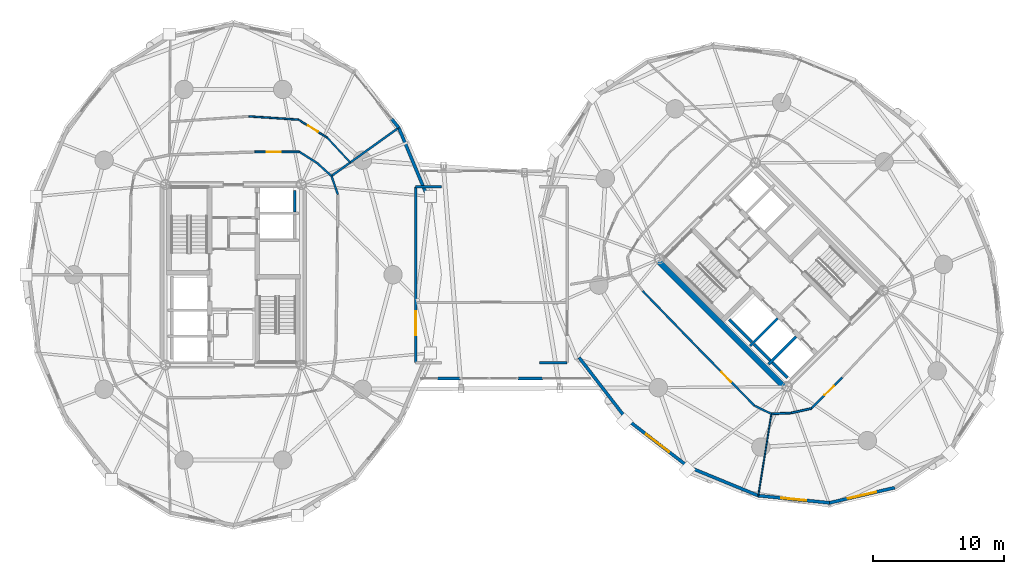
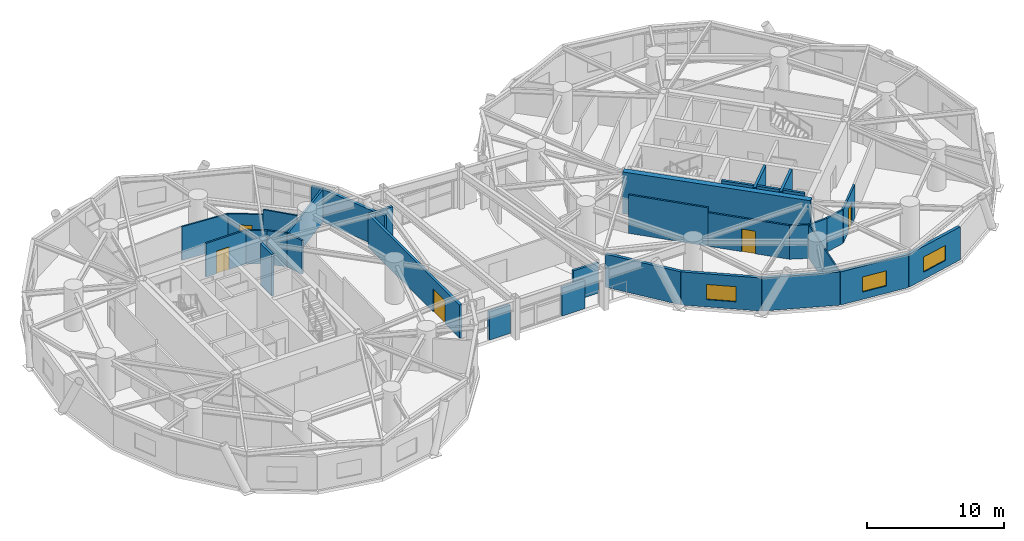
# One storey, part 15 of 20: 34 walls, 5 doors, 3 windows, 8 openings.
"""IFC4 building model written with IfcOpenShell, lengths in metres."""

from ifc_helpers import new_model, si_unit, direction, frame, frame_2d, origin, place, context, subcontext, project, spatial, rectangle, extrude, source, transform, mapped, material, layer, layer_set, type_object, element, fill, save


model = new_model("IFC4")

# Units and contexts
model_context = context("Model", 3, precision=1e-05, world=origin(), true_north=direction((0.0, 1.0)))
body_context = subcontext(model_context, "Body", "Model", "MODEL_VIEW")
ifc_project = project(units=[si_unit("LENGTHUNIT", "METRE"), si_unit("AREAUNIT", "SQUARE_METRE"), si_unit("VOLUMEUNIT", "CUBIC_METRE"), si_unit("PLANEANGLEUNIT", "RADIAN"), si_unit("MASSUNIT", "GRAM", prefix="KILO")], contexts=[model_context])

# Site, building, storey
site_placement = place(None, origin())
site = spatial("IfcSite", under=ifc_project, at=site_placement, CompositionType="ELEMENT")
building_placement = place(site_placement, origin())
building = spatial("IfcBuilding", under=site, at=building_placement, Name="Cununo Teusaquillo Station Towers", CompositionType="ELEMENT")
storey_placement = place(building_placement, frame((0.0, 0.0, 129.159912109375)))
storey = spatial("IfcBuildingStorey", under=building, at=storey_placement, Name="L41", CompositionType="ELEMENT", Elevation=129.159912109375)

# Walls
ifc_material_1 = material(Name="Concrete C50/60", Category="concrete")
ifc_layer_1 = layer(ifc_material_1, 0.199951171875)
ifc_layer_set_1 = layer_set([ifc_layer_1], Name="Concrete C50/60")
wall_type_1 = type_object("IfcWallType", Name="WL-CORE-200", PredefinedType="SHEAR", material=ifc_layer_set_1)
wall_1_placement = place(storey_placement, frame((21.179931640625, 29.294921875, 0.0), z_axis=(0.0, 0.0, 1.0), x_axis=(0.0, 1.0, 0.0)))
element("IfcWall", 1, at=wall_1_placement, inside=storey, type_object=wall_type_1, Name="L41 Tower A Low-Rise Lift 2 Shaft Rear Shear Wall", PredefinedType="SHEAR", context=body_context, shape_type="SweptSolid", body=[
    extrude(rectangle(XDim=1.635009765625, YDim=0.199951171875, at=frame_2d((0.8173828125, 0.0))), origin(), (0.0, 0.0, 1.0), 3.719970703125),
])
wall_2_placement = place(storey_placement, frame((55.8876953125, 19.0693359375, 0.0), z_axis=(0.0, 0.0, 1.0), x_axis=(0.707106781187, 0.707106781187, 0.0)))
element("IfcWall", 2, at=wall_2_placement, inside=storey, type_object=wall_type_1, Name="L41 Tower B Firefighting Lift Shaft South Shear Wall", PredefinedType="SHEAR", context=body_context, shape_type="SweptSolid", body=[
    extrude(rectangle(XDim=2.969970703125, YDim=0.199951171875, at=frame_2d((1.48486328125, 0.0))), origin(), (0.0, 0.0, 1.0), 3.719970703125),
])
wall_3_placement = place(storey_placement, frame((56.01513671875, 19.366455078125, 0.0), z_axis=(0.0, 0.0, 1.0), x_axis=(-0.707106781187, 0.707106781187, 0.0)))
element("IfcWall", 3, at=wall_3_placement, inside=storey, type_object=wall_type_1, Name="L41 Tower B Firefighting Lift Shaft Rear Shear Wall", PredefinedType="SHEAR", context=body_context, shape_type="SweptSolid", body=[
    extrude(rectangle(XDim=2.43994140625, YDim=0.199951171875, at=frame_2d((1.219970703125, 0.0))), origin(), (0.0, 0.0, 1.0), 3.719970703125),
])
wall_4_placement = place(storey_placement, frame((57.2841796875, 17.6728515625, 0.0), z_axis=(0.0, 0.0, 1.0), x_axis=(0.707147878904, 0.70706568108, 0.0)))
element("IfcWall", 4, at=wall_4_placement, inside=storey, type_object=wall_type_1, Name="L41 Tower B High-Rise Lift Hoistway Divider Shear Wall", PredefinedType="SHEAR", context=body_context, shape_type="SweptSolid", body=[
    extrude(rectangle(XDim=2.97021484375, YDim=0.199951171875, at=frame_2d((1.485107421875, 0.0))), origin(), (0.0, 0.0, 1.0), 3.719970703125),
])
wall_5_placement = place(storey_placement, frame((57.41162109375, 17.969970703125, 0.0), z_axis=(0.0, 0.0, 1.0), x_axis=(-0.707106781187, 0.707106781187, 0.0)))
element("IfcWall", 5, at=wall_5_placement, inside=storey, type_object=wall_type_1, Name="L41 Tower B High-Rise Lift 2 Shaft Rear Shear Wall", PredefinedType="SHEAR", context=body_context, shape_type="SweptSolid", body=[
    extrude(rectangle(XDim=1.73486328125, YDim=0.199951171875, at=frame_2d((0.867431640625, 0.0))), origin(), (0.0, 0.0, 1.0), 3.719970703125),
])
wall_6_placement = place(storey_placement, frame((58.7373046875, 16.64404296875, 0.0), z_axis=(0.0, 0.0, 1.0), x_axis=(-0.707032117043, 0.707181437447, 0.0)))
element("IfcWall", 6, at=wall_6_placement, inside=storey, type_object=wall_type_1, Name="L41 Tower B High-Rise Lift 1 Shaft Rear Shear Wall", PredefinedType="SHEAR", context=body_context, shape_type="SweptSolid", body=[
    extrude(rectangle(XDim=1.635009765625, YDim=0.199951171875, at=frame_2d((0.8173828125, 0.0))), origin(), (0.0, 0.0, 1.0), 3.719970703125),
])
ifc_material_2 = material(Name="Concrete C60/75", Category="concrete")
ifc_layer_2 = layer(ifc_material_2, 0.449951171875)
ifc_layer_set_2 = layer_set([ifc_layer_2], Name="Concrete C60/75")
wall_type_2 = type_object("IfcWallType", Name="WL-CORE-450", PredefinedType="SHEAR", material=ifc_layer_set_2)
wall_7_placement = place(storey_placement, frame((58.7373046875, 15.696533203125, 0.0), z_axis=(0.0, 0.0, 1.0), x_axis=(-0.707106781187, 0.707106781187, 0.0)))
element("IfcWall", 7, at=wall_7_placement, inside=storey, type_object=wall_type_2, Name="L41 Tower B Core Shear Wall W", PredefinedType="SHEAR", context=body_context, shape_type="SweptSolid", body=[
    extrude(rectangle(XDim=14.19970703125, YDim=0.449951171875, at=frame_2d((7.099853515625, 0.0))), origin(), (0.0, 0.0, 1.0), 3.719970703125),
])
ifc_material_3 = material(Name="Precast concrete C40/50", Category="concrete")
ifc_layer_3 = layer(ifc_material_3, 0.239990234375)
ifc_layer_set_3 = layer_set([ifc_layer_3], Name="Precast concrete C40/50")
wall_type_3 = type_object("IfcWallType", Name="WL-EXT-240", PredefinedType="SOLIDWALL", material=ifc_layer_set_3)
wall_8_placement = place(storey_placement, frame((29.105224609375, 35.708984375, 0.0), z_axis=(0.0, 0.0, 1.0), x_axis=(0.384344417632, -0.923189779317, 0.0)))
element("IfcWall", 8, at=wall_8_placement, inside=storey, type_object=wall_type_3, Name="L41 Tower A Exterior Facade Wall C01", PredefinedType="SOLIDWALL", context=body_context, shape_type="SweptSolid", body=[
    extrude(rectangle(XDim=5.75830078125, YDim=0.239990234375, at=frame_2d((2.879150390625, 0.0))), origin(), (0.0, 0.0, 1.0), 2.948974609375),
])
wall_9_placement = place(storey_placement, frame((28.5546875, 36.3828125, 0.0), z_axis=(0.0, 0.0, 1.0), x_axis=(0.632702874536, -0.774394649099, 0.0)))
element("IfcWall", 9, at=wall_9_placement, inside=storey, type_object=wall_type_3, Name="L41 Tower A Column Pier Cladding Wall C02-PB", PredefinedType="SOLIDWALL", context=body_context, shape_type="SweptSolid", body=[
    extrude(rectangle(XDim=0.8701171875, YDim=0.239990234375, at=frame_2d((0.43505859375, 0.0))), origin(), (0.0, 0.0, 1.0), 2.948974609375),
])
wall_10_placement = place(storey_placement, frame((46.482666015625, 13.482666015625, 0.0), z_axis=(0.0, 0.0, 1.0), x_axis=(-0.61054437102, 0.791982052206, 0.0)))
element("IfcWall", 10, at=wall_10_placement, inside=storey, type_object=wall_type_3, Name="L41 Tower B Exterior Facade Wall C09", PredefinedType="SOLIDWALL", context=body_context, shape_type="SweptSolid", body=[
    extrude(rectangle(XDim=5.942138671875, YDim=0.239990234375, at=frame_2d((2.97119140625, 0.0))), origin(), (0.0, 0.0, 1.0), 2.948974609375),
])

# Wall, opening, window
wall_11_placement = place(storey_placement, frame((51.188720703125, 9.854736328125, 0.0), z_axis=(0.0, 0.0, 1.0), x_axis=(-0.791982052206, 0.61054437102, 0.0)))
wall_11 = element("IfcWall", 11, at=wall_11_placement, inside=storey, type_object=wall_type_3, Name="L41 Tower B Exterior Facade Wall C10", PredefinedType="SOLIDWALL", context=body_context, shape_type="SweptSolid", body=[
    extrude(rectangle(XDim=5.942138671875, YDim=0.239990234375, at=frame_2d((2.97119140625, 0.0))), origin(), (0.0, 0.0, 1.0), 2.948974609375),
])
shared_shape_1 = source(origin(), body_context, "Body", "SweptSolid", [
    extrude(rectangle(XDim=2.199951171875, YDim=1.35009765625, at=frame_2d((1.10009765625, 0.675048828125))), frame((0.0, 0.1298828125, 0.0), z_axis=(0.0, -1.0, 0.0), x_axis=(1.0, 0.0, 0.0)), (0.0, 0.0, 1.0), 0.260009765625),
])
opening_1_placement = place(wall_11_placement, frame((1.87109375, 0.0, 0.64990234375)))
opening_1 = element("IfcOpeningElement", 12, at=opening_1_placement, cuts=wall_11, Name="Opening WN-01", PredefinedType="OPENING", context=body_context, shape_type="MappedRepresentation", body=[
    mapped(shared_shape_1, transform((0.0, 0.0, 0.0), x_axis=(1.0, 0.0, 0.0), y_axis=(0.0, 1.0, 0.0), z_axis=(0.0, 0.0, 1.0), scale=1.0)),
])
ifc_material_4 = material(Name="Ceramic-fritted dark low-E double glazing", Category="glass")
window_type_1 = type_object("IfcWindowType", Name="WIN-FRIT-2200", PartitioningType="DOUBLE_PANEL_VERTICAL", PredefinedType="WINDOW", material=ifc_material_4)
shared_shape_2 = source(origin(), body_context, "Body", "SweptSolid", [
    extrude(rectangle(XDim=2.199951171875, YDim=1.35009765625, at=frame_2d((1.10009765625, 0.675048828125))), frame((0.0, 0.030029296875, 0.0), z_axis=(0.0, -1.0, 0.0), x_axis=(1.0, 0.0, 0.0)), (0.0, 0.0, 1.0), 0.06005859375),
])
window_1_placement = place(opening_1_placement, origin())
window_1 = element("IfcWindow", 13, at=window_1_placement, inside=storey, type_object=window_type_1, Name="L41 Tower B Facade Window C10", OverallHeight=1.35009765625, OverallWidth=2.199951171875, PartitioningType="DOUBLE_PANEL_VERTICAL", PredefinedType="WINDOW", context=body_context, shape_type="MappedRepresentation", body=[
    mapped(shared_shape_2, transform((0.0, 0.0, 0.0), x_axis=(1.0, 0.0, 0.0), y_axis=(0.0, 1.0, 0.0), z_axis=(0.0, 0.0, 1.0), scale=1.0)),
])
fill(opening_1, window_1)

# Wall
wall_12_placement = place(storey_placement, frame((56.5126953125, 7.66064453125, 0.0), z_axis=(0.0, 0.0, 1.0), x_axis=(-0.924563909604, 0.381027003055, 0.0)))
element("IfcWall", 14, at=wall_12_placement, inside=storey, type_object=wall_type_3, Name="L41 Tower B Exterior Facade Wall C11", PredefinedType="SOLIDWALL", context=body_context, shape_type="SweptSolid", body=[
    extrude(rectangle(XDim=5.75830078125, YDim=0.239990234375, at=frame_2d((2.879150390625, 0.0))), origin(), (0.0, 0.0, 1.0), 2.948974609375),
])

# Wall, opening, window
wall_13_placement = place(storey_placement, frame((61.933349609375, 7.114990234375, 0.0), z_axis=(0.0, 0.0, 1.0), x_axis=(-0.994971754311, 0.10015591906, 0.0)))
wall_13 = element("IfcWall", 15, at=wall_13_placement, inside=storey, type_object=wall_type_3, Name="L41 Tower B Exterior Facade Wall C12", PredefinedType="SOLIDWALL", context=body_context, shape_type="SweptSolid", body=[
    extrude(rectangle(XDim=5.447998046875, YDim=0.239990234375, at=frame_2d((2.72412109375, 0.0))), origin(), (0.0, 0.0, 1.0), 2.948974609375),
])
shared_shape_3 = source(origin(), body_context, "Body", "SweptSolid", [
    extrude(rectangle(XDim=1.89990234375, YDim=1.35009765625, at=frame_2d((0.949951171875, 0.675048828125))), frame((0.0, 0.1298828125, 0.0), z_axis=(0.0, -1.0, 0.0), x_axis=(1.0, 0.0, 0.0)), (0.0, 0.0, 1.0), 0.260009765625),
])
opening_2_placement = place(wall_13_placement, frame((1.77392578125, 0.0, 0.64990234375)))
opening_2 = element("IfcOpeningElement", 16, at=opening_2_placement, cuts=wall_13, Name="Opening WN-02", PredefinedType="OPENING", context=body_context, shape_type="MappedRepresentation", body=[
    mapped(shared_shape_3, transform((0.0, 0.0, 0.0), x_axis=(1.0, 0.0, 0.0), y_axis=(0.0, 1.0, 0.0), z_axis=(0.0, 0.0, 1.0), scale=1.0)),
])
ifc_material_5 = material(Name="Operable acoustic tinted low-E double glazing", Category="glass")
window_type_2 = type_object("IfcWindowType", Name="WIN-OPER-1900", PartitioningType="DOUBLE_PANEL_VERTICAL", PredefinedType="WINDOW", material=ifc_material_5)
shared_shape_4 = source(origin(), body_context, "Body", "SweptSolid", [
    extrude(rectangle(XDim=1.89990234375, YDim=1.35009765625, at=frame_2d((0.949951171875, 0.675048828125))), frame((0.0, 0.030029296875, 0.0), z_axis=(0.0, -1.0, 0.0), x_axis=(1.0, 0.0, 0.0)), (0.0, 0.0, 1.0), 0.06005859375),
])
window_2_placement = place(opening_2_placement, origin())
window_2 = element("IfcWindow", 17, at=window_2_placement, inside=storey, type_object=window_type_2, Name="L41 Tower B Facade Window C12", OverallHeight=1.35009765625, OverallWidth=1.89990234375, PartitioningType="DOUBLE_PANEL_VERTICAL", PredefinedType="WINDOW", context=body_context, shape_type="MappedRepresentation", body=[
    mapped(shared_shape_4, transform((0.0, 0.0, 0.0), x_axis=(1.0, 0.0, 0.0), y_axis=(0.0, 1.0, 0.0), z_axis=(0.0, 0.0, 1.0), scale=1.0)),
])
fill(opening_2, window_2)

wall_14_placement = place(storey_placement, frame((66.919921875, 8.27099609375, 0.0), z_axis=(0.0, 0.0, 1.0), x_axis=(-0.974165631126, -0.225834725257, 0.0)))
wall_14 = element("IfcWall", 18, at=wall_14_placement, inside=storey, type_object=wall_type_3, Name="L41 Tower B Exterior Facade Wall C13", PredefinedType="SOLIDWALL", context=body_context, shape_type="SweptSolid", body=[
    extrude(rectangle(XDim=5.118896484375, YDim=0.239990234375, at=frame_2d((2.5595703125, 0.0))), origin(), (0.0, 0.0, 1.0), 2.948974609375),
])
opening_3_placement = place(wall_14_placement, frame((1.458984375, 0.0, 0.64990234375)))
opening_3 = element("IfcOpeningElement", 19, at=opening_3_placement, cuts=wall_14, Name="Opening WN-01", PredefinedType="OPENING", context=body_context, shape_type="MappedRepresentation", body=[
    mapped(shared_shape_1, transform((0.0, 0.0, 0.0), x_axis=(1.0, 0.0, 0.0), y_axis=(0.0, 1.0, 0.0), z_axis=(0.0, 0.0, 1.0), scale=1.0)),
])
window_3_placement = place(opening_3_placement, origin())
window_3 = element("IfcWindow", 20, at=window_3_placement, inside=storey, type_object=window_type_1, Name="L41 Tower B Facade Window C13", OverallHeight=1.35009765625, OverallWidth=2.199951171875, PartitioningType="DOUBLE_PANEL_VERTICAL", PredefinedType="WINDOW", context=body_context, shape_type="MappedRepresentation", body=[
    mapped(shared_shape_2, transform((0.0, 0.0, 0.0), x_axis=(1.0, 0.0, 0.0), y_axis=(0.0, 1.0, 0.0), z_axis=(0.0, 0.0, 1.0), scale=1.0)),
])
fill(opening_3, window_3)

# Walls
wall_15_placement = place(storey_placement, frame((40.10009765625, 16.60009765625, 0.0), z_axis=(0.0, 0.0, 1.0), x_axis=(-1.0, 0.0, 0.0)))
element("IfcWall", 21, at=wall_15_placement, inside=storey, type_object=wall_type_3, Name="L41 Mid-Bridge S End Spandrel A", PredefinedType="SOLIDWALL", context=body_context, shape_type="SweptSolid", body=[
    extrude(rectangle(XDim=1.920166015625, YDim=0.239990234375, at=frame_2d((0.9599609375, 0.0))), origin(), (0.0, 0.0, 1.0), 2.51220703125),
])
wall_16_placement = place(storey_placement, frame((33.820068359375, 16.60009765625, 0.0), z_axis=(0.0, 0.0, 1.0), x_axis=(-1.0, 0.0, 0.0)))
element("IfcWall", 22, at=wall_16_placement, inside=storey, type_object=wall_type_3, Name="L41 Mid-Bridge S End Spandrel B", PredefinedType="SOLIDWALL", context=body_context, shape_type="SweptSolid", body=[
    extrude(rectangle(XDim=1.77001953125, YDim=0.239990234375, at=frame_2d((0.885009765625, 0.0))), origin(), (0.0, 0.0, 1.0), 2.51220703125),
])
ifc_material_6 = material(Name="Fire-rated gypsum plasterboard partition assembly", Category="gypsum")
ifc_layer_4 = layer(ifc_material_6, 0.10009765625)
ifc_layer_set_4 = layer_set([ifc_layer_4], Name="Fire-rated gypsum plasterboard partition assembly")
wall_type_4 = type_object("IfcWallType", Name="WL-PART-100", PredefinedType="MOVABLE", material=ifc_layer_set_4)
wall_17_placement = place(storey_placement, frame((57.51123046875, 13.896728515625, 0.0), z_axis=(0.0, 0.0, 1.0), x_axis=(-0.15810696167, -0.987421991183, 0.0)))
element("IfcWall", 23, at=wall_17_placement, inside=storey, type_object=wall_type_4, Name="L41 Tower B Radial Suite Partition R04", PredefinedType="MOVABLE", context=body_context, shape_type="SweptSolid", body=[
    extrude(rectangle(XDim=6.29541015625, YDim=0.10009765625, at=frame_2d((3.147705078125, 0.0))), origin(), (0.0, 0.0, 1.0), 2.948974609375),
])
ifc_material_7 = material(Name="Fire-rated gypsum plasterboard partition assembly", Category="gypsum")
ifc_layer_5 = layer(ifc_material_7, 0.125)
ifc_layer_set_5 = layer_set([ifc_layer_5], Name="Fire-rated gypsum plasterboard partition assembly")
wall_type_5 = type_object("IfcWallType", Name="WL-PART-125", PredefinedType="PARTITIONING", material=ifc_layer_set_5)
wall_18_placement = place(storey_placement, frame((25.410400390625, 33.054443359375, 0.0), z_axis=(0.0, 0.0, 1.0), x_axis=(-0.679733694606, 0.73345899982, 0.0)))
element("IfcWall", 24, at=wall_18_placement, inside=storey, type_object=wall_type_5, Name="L41 Tower A Pan-Andean Symposium Hall Concentric Partition Wall C02", PredefinedType="PARTITIONING", context=body_context, shape_type="SweptSolid", body=[
    extrude(rectangle(XDim=2.585693359375, YDim=0.125, at=frame_2d((1.29296875, 0.0))), origin(), (0.0, 0.0, 1.0), 3.425048828125),
])

# Wall, opening, door
wall_19_placement = place(storey_placement, frame((23.65283203125, 34.950927734375, 0.0), z_axis=(0.0, 0.0, 1.0), x_axis=(-0.847306782665, 0.531103771452, 0.0)))
wall_19 = element("IfcWall", 25, at=wall_19_placement, inside=storey, type_object=wall_type_5, Name="L41 Tower A Pan-Andean Symposium Hall Concentric Partition Wall C03", PredefinedType="PARTITIONING", context=body_context, shape_type="SweptSolid", body=[
    extrude(rectangle(XDim=2.5810546875, YDim=0.125, at=frame_2d((1.29052734375, 0.0))), origin(), (0.0, 0.0, 1.0), 2.9951171875),
])
shared_shape_5 = source(origin(), body_context, "Body", "SweptSolid", [
    extrude(rectangle(XDim=0.89990234375, YDim=2.0048828125, at=frame_2d((0.449951171875, 1.00244140625))), frame((0.0, 0.072509765625, 0.0), z_axis=(0.0, -1.0, 0.0), x_axis=(1.0, 0.0, 0.0)), (0.0, 0.0, 1.0), 0.14501953125),
])
opening_4_placement = place(wall_19_placement, frame((0.840576171875, 0.0, 0.0)))
opening_4 = element("IfcOpeningElement", 26, at=opening_4_placement, cuts=wall_19, Name="Opening D-IN1", PredefinedType="OPENING", context=body_context, shape_type="MappedRepresentation", body=[
    mapped(shared_shape_5, transform((0.0, 0.0, 0.0), x_axis=(1.0, 0.0, 0.0), y_axis=(0.0, 1.0, 0.0), z_axis=(0.0, 0.0, 1.0), scale=1.0)),
])
ifc_material_8 = material(Name="Acoustic solid-core hardwood leaf assembly", Category="wood")
door_type_1 = type_object("IfcDoorType", Name="DR-INT-900", OperationType="NOTDEFINED", PredefinedType="DOOR", material=ifc_material_8)
shared_shape_6 = source(origin(), body_context, "Body", "SweptSolid", [
    extrude(rectangle(XDim=0.89990234375, YDim=2.0048828125, at=frame_2d((0.449951171875, 1.00244140625))), frame((0.0, 0.02490234375, 0.0), z_axis=(0.0, -1.0, 0.0), x_axis=(1.0, 0.0, 0.0)), (0.0, 0.0, 1.0), 0.050048828125),
])
door_1_placement = place(opening_4_placement, origin())
door_1 = element("IfcDoor", 27, at=door_1_placement, inside=storey, type_object=door_type_1, Name="L41 Tower A Pan-Andean Symposium Hall Connecting Door", OperationType="SINGLE_SWING_LEFT", OverallHeight=2.0048828125, OverallWidth=0.89990234375, PredefinedType="DOOR", context=body_context, shape_type="MappedRepresentation", body=[
    mapped(shared_shape_6, transform((0.0, 0.0, 0.0), x_axis=(1.0, 0.0, 0.0), y_axis=(0.0, 1.0, 0.0), z_axis=(0.0, 0.0, 1.0), scale=1.0)),
])
fill(opening_4, door_1)

# Walls
wall_20_placement = place(storey_placement, frame((21.4658203125, 36.32177734375, 0.0), z_axis=(0.0, 0.0, 1.0), x_axis=(-0.997806476515, 0.066198454847, 0.0)))
element("IfcWall", 28, at=wall_20_placement, inside=storey, type_object=wall_type_5, Name="L41 Tower A Pan-Andean Symposium Hall Concentric Partition Wall C04", PredefinedType="PARTITIONING", context=body_context, shape_type="SweptSolid", body=[
    extrude(rectangle(XDim=3.791259765625, YDim=0.125, at=frame_2d((1.8955078125, 0.0))), origin(), (0.0, 0.0, 1.0), 2.9951171875),
])
ifc_material_9 = material(Name="Fire-rated gypsum plasterboard partition assembly", Category="gypsum")
ifc_layer_6 = layer(ifc_material_9, 0.14990234375)
ifc_layer_set_6 = layer_set([ifc_layer_6], Name="Fire-rated gypsum plasterboard partition assembly")
wall_type_6 = type_object("IfcWallType", Name="WL-PART-150", PredefinedType="PARTITIONING", material=ifc_layer_set_6)
wall_21_placement = place(storey_placement, frame((24.468994140625, 30.614013671875, 0.0), z_axis=(0.0, 0.0, 1.0), x_axis=(-0.327228335485, 0.944945298129, 0.0)))
element("IfcWall", 29, at=wall_21_placement, inside=storey, type_object=wall_type_6, Name="L41 Tower A Corridor Ring Wall C01", PredefinedType="PARTITIONING", context=body_context, shape_type="SweptSolid", body=[
    extrude(rectangle(XDim=1.4951171875, YDim=0.14990234375, at=frame_2d((0.74755859375, 0.0))), origin(), (0.0, 0.0, 1.0), 2.9951171875),
])
wall_22_placement = place(storey_placement, frame((23.979736328125, 32.02685546875, 0.0), z_axis=(0.0, 0.0, 1.0), x_axis=(-0.742353224332, 0.670008724065, 0.0)))
element("IfcWall", 30, at=wall_22_placement, inside=storey, type_object=wall_type_6, Name="L41 Tower A Corridor Ring Wall C02", PredefinedType="PARTITIONING", context=body_context, shape_type="SweptSolid", body=[
    extrude(rectangle(XDim=1.48486328125, YDim=0.14990234375, at=frame_2d((0.742431640625, 0.0))), origin(), (0.0, 0.0, 1.0), 2.9951171875),
])
wall_23_placement = place(storey_placement, frame((22.87744140625, 33.021728515625, 0.0), z_axis=(0.0, 0.0, 1.0), x_axis=(-0.845895608855, 0.533348496689, 0.0)))
element("IfcWall", 31, at=wall_23_placement, inside=storey, type_object=wall_type_6, Name="L41 Tower A Corridor Ring Wall C03", PredefinedType="PARTITIONING", context=body_context, shape_type="SweptSolid", body=[
    extrude(rectangle(XDim=1.5966796875, YDim=0.14990234375, at=frame_2d((0.79833984375, 0.0))), origin(), (0.0, 0.0, 1.0), 2.9951171875),
])

# Wall, opening, door
wall_24_placement = place(storey_placement, frame((21.52685546875, 33.873291015625, 0.0), z_axis=(0.0, 0.0, 1.0), x_axis=(-0.999991838845, -0.004040079574, 0.0)))
wall_24 = element("IfcWall", 32, at=wall_24_placement, inside=storey, type_object=wall_type_6, Name="L41 Tower A Corridor Ring Wall C04", PredefinedType="PARTITIONING", context=body_context, shape_type="SweptSolid", body=[
    extrude(rectangle(XDim=3.384033203125, YDim=0.14990234375, at=frame_2d((1.69189453125, 0.0))), origin(), (0.0, 0.0, 1.0), 2.9951171875),
])
shared_shape_7 = source(origin(), body_context, "Body", "SweptSolid", [
    extrude(rectangle(XDim=1.050048828125, YDim=2.014892578125, at=frame_2d((0.52490234375, 1.00732421875))), frame((0.0, 0.0849609375, 0.0), z_axis=(0.0, -1.0, 0.0), x_axis=(1.0, 0.0, 0.0)), (0.0, 0.0, 1.0), 0.169921875),
])
opening_5_placement = place(wall_24_placement, frame((1.4287109375, 0.0, 0.0)))
opening_5 = element("IfcOpeningElement", 33, at=opening_5_placement, cuts=wall_24, Name="Opening D-SU1", PredefinedType="OPENING", context=body_context, shape_type="MappedRepresentation", body=[
    mapped(shared_shape_7, transform((0.0, 0.0, 0.0), x_axis=(1.0, 0.0, 0.0), y_axis=(0.0, 1.0, 0.0), z_axis=(0.0, 0.0, 1.0), scale=1.0)),
])
ifc_material_10 = material(Name="Acoustic solid-core hardwood leaf assembly", Category="wood")
door_type_2 = type_object("IfcDoorType", Name="DR-SUITE-1050", OperationType="NOTDEFINED", PredefinedType="DOOR", material=ifc_material_10)
shared_shape_8 = source(origin(), body_context, "Body", "SweptSolid", [
    extrude(rectangle(XDim=1.050048828125, YDim=2.014892578125, at=frame_2d((0.52490234375, 1.00732421875))), frame((0.0, 0.02490234375, 0.0), z_axis=(0.0, -1.0, 0.0), x_axis=(1.0, 0.0, 0.0)), (0.0, 0.0, 1.0), 0.050048828125),
])
door_2_placement = place(opening_5_placement, origin())
door_2 = element("IfcDoor", 34, at=door_2_placement, inside=storey, type_object=door_type_2, Name="L41 Tower A Pan-Andean Symposium Hall Entrance Door", OperationType="SINGLE_SWING_RIGHT", OverallHeight=2.014892578125, OverallWidth=1.050048828125, PredefinedType="DOOR", context=body_context, shape_type="MappedRepresentation", body=[
    mapped(shared_shape_8, transform((0.0, 0.0, 0.0), x_axis=(1.0, 0.0, 0.0), y_axis=(0.0, 1.0, 0.0), z_axis=(0.0, 0.0, 1.0), scale=1.0)),
])
fill(opening_5, door_2)

# Wall
wall_25_placement = place(storey_placement, frame((47.70556640625, 23.253173828125, 0.0), z_axis=(0.0, 0.0, 1.0), x_axis=(0.696179266346, -0.717867974707, 0.0)))
element("IfcWall", 35, at=wall_25_placement, inside=storey, type_object=wall_type_6, Name="L41 Tower B Corridor Ring Wall C09", PredefinedType="PARTITIONING", context=body_context, shape_type="SweptSolid", body=[
    extrude(rectangle(XDim=6.044677734375, YDim=0.14990234375, at=frame_2d((3.0224609375, 0.0))), origin(), (0.0, 0.0, 1.0), 3.425048828125),
])

# Wall, opening, door
wall_26_placement = place(storey_placement, frame((51.913818359375, 18.913818359375, 0.0), z_axis=(0.0, 0.0, 1.0), x_axis=(0.699999313799, -0.714143515465, 0.0)))
wall_26 = element("IfcWall", 36, at=wall_26_placement, inside=storey, type_object=wall_type_6, Name="L41 Tower B Corridor Ring Wall C10", PredefinedType="PARTITIONING", context=body_context, shape_type="SweptSolid", body=[
    extrude(rectangle(XDim=6.162109375, YDim=0.14990234375, at=frame_2d((3.0810546875, 0.0))), origin(), (0.0, 0.0, 1.0), 2.9951171875),
])
opening_6_placement = place(wall_26_placement, frame((2.55615234375, 0.0, 0.0)))
opening_6 = element("IfcOpeningElement", 37, at=opening_6_placement, cuts=wall_26, Name="Opening D-SU1", PredefinedType="OPENING", context=body_context, shape_type="MappedRepresentation", body=[
    mapped(shared_shape_7, transform((0.0, 0.0, 0.0), x_axis=(1.0, 0.0, 0.0), y_axis=(0.0, 1.0, 0.0), z_axis=(0.0, 0.0, 1.0), scale=1.0)),
])
door_3_placement = place(opening_6_placement, origin())
door_3 = element("IfcDoor", 38, at=door_3_placement, inside=storey, type_object=door_type_2, Name="L41 Tower B VIP Delegation Briefing Salon Entrance Door", OperationType="SINGLE_SWING_RIGHT", OverallHeight=2.014892578125, OverallWidth=1.050048828125, PredefinedType="DOOR", context=body_context, shape_type="MappedRepresentation", body=[
    mapped(shared_shape_8, transform((0.0, 0.0, 0.0), x_axis=(1.0, 0.0, 0.0), y_axis=(0.0, 1.0, 0.0), z_axis=(0.0, 0.0, 1.0), scale=1.0)),
])
fill(opening_6, door_3)

# Walls
wall_27_placement = place(storey_placement, frame((56.227294921875, 14.51318359375, 0.0), z_axis=(0.0, 0.0, 1.0), x_axis=(0.901477579283, -0.432825801044, 0.0)))
element("IfcWall", 39, at=wall_27_placement, inside=storey, type_object=wall_type_6, Name="L41 Tower B Corridor Ring Wall C11", PredefinedType="PARTITIONING", context=body_context, shape_type="SweptSolid", body=[
    extrude(rectangle(XDim=1.42431640625, YDim=0.14990234375, at=frame_2d((0.712158203125, 0.0))), origin(), (0.0, 0.0, 1.0), 2.9951171875),
])
wall_28_placement = place(storey_placement, frame((57.51123046875, 13.896728515625, 0.0), z_axis=(0.0, 0.0, 1.0), x_axis=(0.999024538494, 0.044158481476, 0.0)))
element("IfcWall", 40, at=wall_28_placement, inside=storey, type_object=wall_type_6, Name="L41 Tower B Corridor Ring Wall C12", PredefinedType="PARTITIONING", context=body_context, shape_type="SweptSolid", body=[
    extrude(rectangle(XDim=1.498291015625, YDim=0.14990234375, at=frame_2d((0.7490234375, 0.0))), origin(), (0.0, 0.0, 1.0), 2.9951171875),
])
wall_29_placement = place(storey_placement, frame((59.008056640625, 13.962890625, 0.0), z_axis=(0.0, 0.0, 1.0), x_axis=(0.976020856791, 0.21767702476, 0.0)))
element("IfcWall", 41, at=wall_29_placement, inside=storey, type_object=wall_type_6, Name="L41 Tower B Corridor Ring Wall C13", PredefinedType="PARTITIONING", context=body_context, shape_type="SweptSolid", body=[
    extrude(rectangle(XDim=1.592529296875, YDim=0.14990234375, at=frame_2d((0.79638671875, 0.0))), origin(), (0.0, 0.0, 1.0), 2.9951171875),
])

# Wall, opening, door
wall_30_placement = place(storey_placement, frame((60.5625, 14.3095703125, 0.0), z_axis=(0.0, 0.0, 1.0), x_axis=(0.704566236161, 0.709638230975, 0.0)))
wall_30 = element("IfcWall", 42, at=wall_30_placement, inside=storey, type_object=wall_type_6, Name="L41 Tower B Corridor Ring Wall C14", PredefinedType="PARTITIONING", context=body_context, shape_type="SweptSolid", body=[
    extrude(rectangle(XDim=3.3212890625, YDim=0.14990234375, at=frame_2d((1.66064453125, 0.0))), origin(), (0.0, 0.0, 1.0), 2.9951171875),
])
shared_shape_9 = source(origin(), body_context, "Body", "SweptSolid", [
    extrude(rectangle(XDim=1.0, YDim=2.014892578125, at=frame_2d((0.5, 1.00732421875))), frame((0.0, 0.0849609375, 0.0), z_axis=(0.0, -1.0, 0.0), x_axis=(1.0, 0.0, 0.0)), (0.0, 0.0, 1.0), 0.169921875),
])
opening_7_placement = place(wall_30_placement, frame((1.4208984375, 0.0, 0.0)))
opening_7 = element("IfcOpeningElement", 43, at=opening_7_placement, cuts=wall_30, Name="Opening D-AC1", PredefinedType="OPENING", context=body_context, shape_type="MappedRepresentation", body=[
    mapped(shared_shape_9, transform((0.0, 0.0, 0.0), x_axis=(1.0, 0.0, 0.0), y_axis=(0.0, 1.0, 0.0), z_axis=(0.0, 0.0, 1.0), scale=1.0)),
])
ifc_material_11 = material(Name="Acoustic solid-core hardwood leaf assembly", Category="wood")
door_type_3 = type_object("IfcDoorType", Name="DR-ACC-1000", OperationType="NOTDEFINED", PredefinedType="DOOR", material=ifc_material_11)
shared_shape_10 = source(origin(), body_context, "Body", "SweptSolid", [
    extrude(rectangle(XDim=1.0, YDim=2.014892578125, at=frame_2d((0.5, 1.00732421875))), frame((0.0, 0.02490234375, 0.0), z_axis=(0.0, -1.0, 0.0), x_axis=(1.0, 0.0, 0.0)), (0.0, 0.0, 1.0), 0.050048828125),
])
door_4_placement = place(opening_7_placement, origin())
door_4 = element("IfcDoor", 44, at=door_4_placement, inside=storey, type_object=door_type_3, Name="L41 Tower B Public Accessible Restroom WC Entrance Door", OperationType="SINGLE_SWING_LEFT", OverallHeight=2.014892578125, OverallWidth=1.0, PredefinedType="DOOR", context=body_context, shape_type="MappedRepresentation", body=[
    mapped(shared_shape_10, transform((0.0, 0.0, 0.0), x_axis=(1.0, 0.0, 0.0), y_axis=(0.0, 1.0, 0.0), z_axis=(0.0, 0.0, 1.0), scale=1.0)),
])
fill(opening_7, door_4)

# Wall
ifc_material_12 = material(Name="Fire-rated gypsum plasterboard partition assembly", Category="gypsum")
ifc_layer_7 = layer(ifc_material_12, 0.159912109375)
ifc_layer_set_7 = layer_set([ifc_layer_7], Name="Fire-rated gypsum plasterboard partition assembly")
wall_type_7 = type_object("IfcWallType", Name="WL-PART-160", PredefinedType="PARTITIONING", material=ifc_layer_set_7)
wall_31_placement = place(storey_placement, frame((23.979736328125, 32.02685546875, 0.0), z_axis=(0.0, 0.0, 1.0), x_axis=(0.812162479031, 0.58343132214, 0.0)))
element("IfcWall", 45, at=wall_31_placement, inside=storey, type_object=wall_type_7, Name="L41 Tower A Radial Suite Partition R01", PredefinedType="PARTITIONING", context=body_context, shape_type="SweptSolid", body=[
    extrude(rectangle(XDim=6.291015625, YDim=0.159912109375, at=frame_2d((3.1455078125, 0.0))), origin(), (0.0, 0.0, 1.0), 2.948974609375),
])

# Wall, opening, door
ifc_material_13 = material(Name="Fire-rated gypsum plasterboard partition assembly", Category="gypsum")
ifc_layer_8 = layer(ifc_material_13, 0.199951171875)
ifc_layer_set_8 = layer_set([ifc_layer_8], Name="Fire-rated gypsum plasterboard partition assembly")
wall_type_8 = type_object("IfcWallType", Name="WL-PART-200", PredefinedType="PARTITIONING", material=ifc_layer_set_8)
wall_32_placement = place(storey_placement, frame((30.39990234375, 17.800048828125, 0.0), z_axis=(0.0, 0.0, 1.0), x_axis=(0.0, 1.0, 0.0)))
wall_32 = element("IfcWall", 46, at=wall_32_placement, inside=storey, type_object=wall_type_8, Name="L41 Mid-Bridge T1 Fire Portal Wall", PredefinedType="PARTITIONING", context=body_context, shape_type="SweptSolid", body=[
    extrude(rectangle(XDim=13.39990234375, YDim=0.199951171875, at=frame_2d((6.699951171875, 0.0))), origin(), (0.0, 0.0, 1.0), 2.948974609375),
])
shared_shape_11 = source(origin(), body_context, "Body", "SweptSolid", [
    extrude(rectangle(XDim=1.800048828125, YDim=2.050048828125, at=frame_2d((0.89990234375, 1.02490234375))), frame((0.0, 0.10986328125, 0.0), z_axis=(0.0, -1.0, 0.0), x_axis=(1.0, 0.0, 0.0)), (0.0, 0.0, 1.0), 0.219970703125),
])
opening_8_placement = place(wall_32_placement, frame((2.10009765625, 0.0, 0.0)))
opening_8 = element("IfcOpeningElement", 47, at=opening_8_placement, cuts=wall_32, Name="Opening D-BG1", PredefinedType="OPENING", context=body_context, shape_type="MappedRepresentation", body=[
    mapped(shared_shape_11, transform((0.0, 0.0, 0.0), x_axis=(1.0, 0.0, 0.0), y_axis=(0.0, 1.0, 0.0), z_axis=(0.0, 0.0, 1.0), scale=1.0)),
])
ifc_material_14 = material(Name="Galvanised fire-rated hollow steel door assembly", Category="steel")
door_type_4 = type_object("IfcDoorType", Name="DR-BRIDGE-1800", OperationType="DOUBLE_DOOR_SINGLE_SWING", PredefinedType="DOOR", material=ifc_material_14)
shared_shape_12 = source(origin(), body_context, "Body", "SweptSolid", [
    extrude(rectangle(XDim=1.800048828125, YDim=2.050048828125, at=frame_2d((0.89990234375, 1.02490234375))), frame((0.0, 0.02490234375, 0.0), z_axis=(0.0, -1.0, 0.0), x_axis=(1.0, 0.0, 0.0)), (0.0, 0.0, 1.0), 0.050048828125),
])
door_5_placement = place(opening_8_placement, origin())
door_5 = element("IfcDoor", 48, at=door_5_placement, inside=storey, type_object=door_type_4, Name="L41 Mid-Bridge T1 Portal Fire Door", OperationType="DOUBLE_DOOR_SINGLE_SWING", OverallHeight=2.050048828125, OverallWidth=1.800048828125, PredefinedType="DOOR", context=body_context, shape_type="MappedRepresentation", body=[
    mapped(shared_shape_12, transform((0.0, 0.0, 0.0), x_axis=(1.0, 0.0, 0.0), y_axis=(0.0, 1.0, 0.0), z_axis=(0.0, 0.0, 1.0), scale=1.0)),
])
fill(opening_8, door_5)

# Walls
wall_33_placement = place(storey_placement, frame((30.39990234375, 31.199951171875, 0.0), z_axis=(0.0, 0.0, 1.0), x_axis=(1.0, 0.0, 0.0)))
element("IfcWall", 49, at=wall_33_placement, inside=storey, type_object=wall_type_8, Name="L41 Mid-Bridge Portal Return Wall WN", PredefinedType="PARTITIONING", context=body_context, shape_type="SweptSolid", body=[
    extrude(rectangle(XDim=1.9501953125, YDim=0.199951171875, at=frame_2d((0.97509765625, 0.0))), origin(), (0.0, 0.0, 1.0), 2.948974609375),
])
wall_34_placement = place(storey_placement, frame((39.85009765625, 17.800048828125, 0.0), z_axis=(0.0, 0.0, 1.0), x_axis=(1.0, 0.0, 0.0)))
element("IfcWall", 50, at=wall_34_placement, inside=storey, type_object=wall_type_8, Name="L41 Mid-Bridge Portal Return Wall ES", PredefinedType="PARTITIONING", context=body_context, shape_type="SweptSolid", body=[
    extrude(rectangle(XDim=2.099853515625, YDim=0.199951171875, at=frame_2d((1.0498046875, 0.0))), origin(), (0.0, 0.0, 1.0), 2.712158203125),
])

save(model, "model.ifc")
